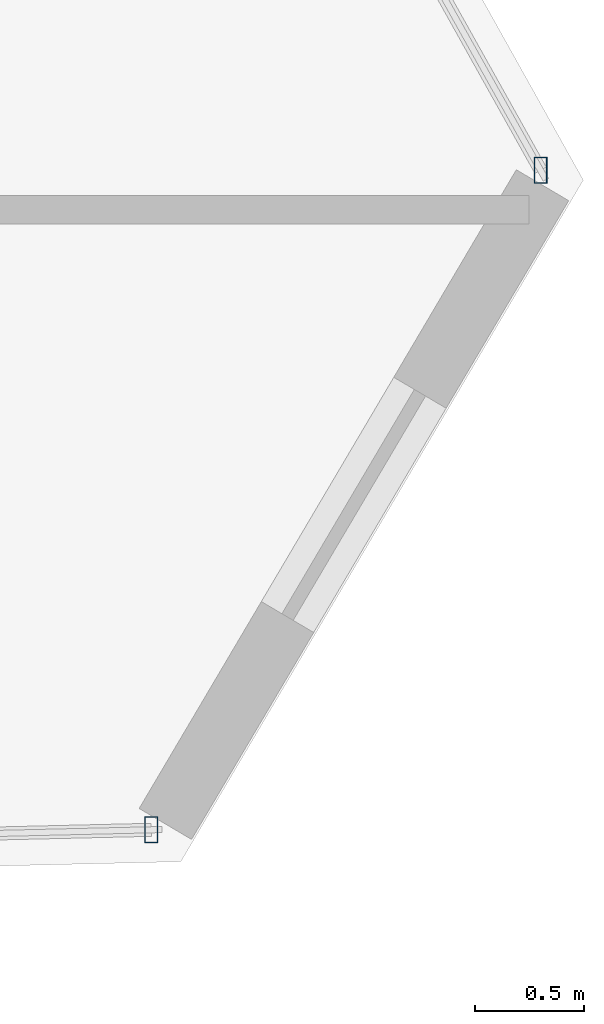
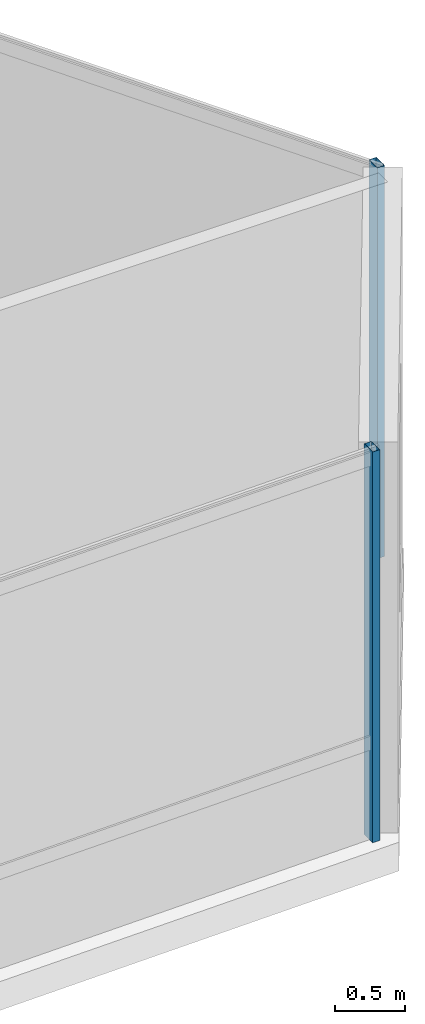
# One storey, part 26 of 44: 2 members, 2 elements without a shape of their own.
"""IFC4 building model written with IfcOpenShell, lengths in metres."""

from ifc_helpers import new_model, si_unit, direction, frame, origin, origin_2d, place, context, subcontext, project, spatial, hollow_rectangle, extrude, source, transform, mapped, material, material_profile, profile_set, type_object, type_shapes, element, aggregate, save


model = new_model("IFC4")

# Units and contexts
model_context = context("Model", 3, precision=1e-05, world=origin(), true_north=direction((0.0, 1.0)))
body_context = subcontext(model_context, "Body", "Model", "MODEL_VIEW")
ifc_project = project(units=[si_unit("LENGTHUNIT", "METRE"), si_unit("AREAUNIT", "SQUARE_METRE"), si_unit("VOLUMEUNIT", "CUBIC_METRE"), si_unit("PLANEANGLEUNIT", "RADIAN"), si_unit("MASSUNIT", "GRAM", prefix="KILO")], contexts=[model_context])

# Site, building, storey
site_placement = place(None, origin())
site = spatial("IfcSite", under=ifc_project, at=site_placement, CompositionType="ELEMENT")
building_placement = place(site_placement, origin())
building = spatial("IfcBuilding", under=site, at=building_placement, Name="Caelisora Broadcast Tower", CompositionType="ELEMENT")
storey_placement = place(building_placement, frame((0.0, 0.0, 259.050048828125)))
storey = spatial("IfcBuildingStorey", under=building, at=storey_placement, Name="L68", CompositionType="ELEMENT", Elevation=259.050048828125)

# Curtain wall, member
ifc_material_1 = material(Name="Unitised Aluminium and Low-E Glass Curtain Wall", Category="glass")
curtain_wall_type = type_object("IfcCurtainWallType", Name="CW-Z5", PredefinedType="NOTDEFINED", material=ifc_material_1)
curtain_wall_1_placement = place(storey_placement, origin())
curtain_wall_1 = element("IfcCurtainWall", 1, at=curtain_wall_1_placement, inside=storey, type_object=curtain_wall_type, Name="L68 curtain wall CW-Z5", PredefinedType="NOTDEFINED")
ifc_material_2 = material(Name="Aluminium 6063-T6 Anodised Terracotta Bronze", Category="aluminium")
ifc_material_profile = material_profile(ifc_material_2, hollow_rectangle(XDim=0.06005859375, YDim=0.1201171875, WallThickness=0.0029296875, at=origin_2d()), Name="Aluminium 6063-T6 Anodised Terracotta Bronze")
ifc_profile_set = profile_set([ifc_material_profile], Name="Aluminium 6063-T6 Anodised Terracotta Bronze")
member_type = type_object("IfcMemberType", Name="CWM-04", PredefinedType="MULLION", material=ifc_profile_set)
shared_shape = source(origin(), body_context, "Body", "SweptSolid", [
    extrude(hollow_rectangle(XDim=0.06005859375, YDim=0.1201171875, WallThickness=0.0029296875, at=origin_2d()), origin(), (0.0, 0.0, 1.0), 3.39990234375),
])
type_shapes(member_type, [shared_shape])
member_1_placement = place(storey_placement, frame((62.36767578125, 11.9326171875, 0.0), z_axis=(0.0, 0.0, 1.0), x_axis=(1.0, 0.0, 0.0)))
member_1 = element("IfcMember", 2, at=member_1_placement, type_object=member_type, Name="L68-CW-B03 mullion #3", PredefinedType="MULLION", context=body_context, shape_type="MappedRepresentation", body=[
    mapped(shared_shape, transform((0.0, 0.0, 0.0), scale=1.0)),
])
aggregate(curtain_wall_1, [member_1])

curtain_wall_2_placement = place(storey_placement, origin())
curtain_wall_2 = element("IfcCurtainWall", 3, at=curtain_wall_2_placement, inside=storey, type_object=curtain_wall_type, Name="L68 curtain wall CW-Z5", PredefinedType="NOTDEFINED")
member_2_placement = place(storey_placement, frame((60.573974609375, 8.893798828125, 0.0), z_axis=(0.0, 0.0, 1.0), x_axis=(1.0, 0.0, 0.0)))
member_2 = element("IfcMember", 4, at=member_2_placement, type_object=member_type, Name="L68-CW-B05 mullion #0", PredefinedType="MULLION", context=body_context, shape_type="MappedRepresentation", body=[
    mapped(shared_shape, transform((0.0, 0.0, 0.0), scale=1.0)),
])
aggregate(curtain_wall_2, [member_2])

save(model, "model.ifc")
